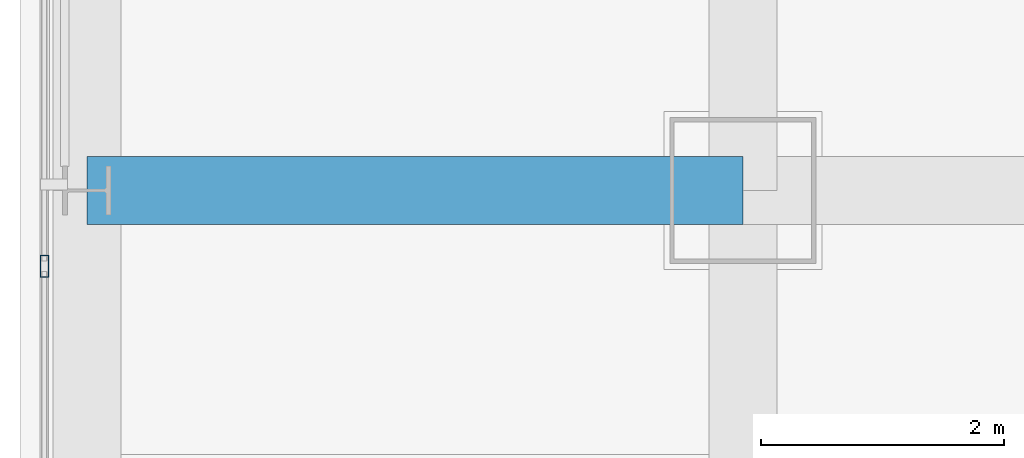
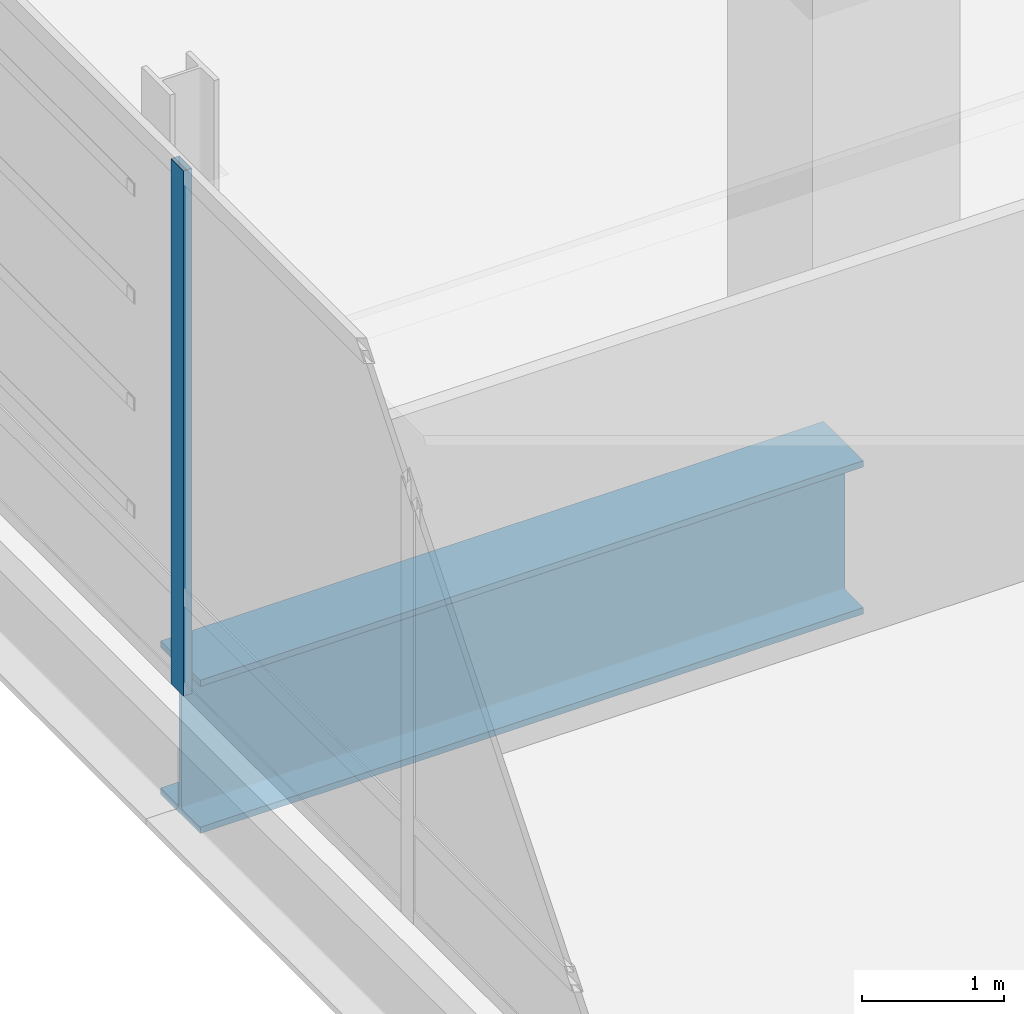
# One storey, part 10 of 45: 1 beam, 1 member, 1 element without a shape of its own.
"""IFC4 building model written with IfcOpenShell, lengths in metres."""

from ifc_helpers import new_model, si_unit, direction, frame, origin, origin_2d, place, context, subcontext, project, spatial, hollow_rectangle, i_section, extrude, material, material_profile, profile_set, type_object, element, aggregate, save


model = new_model("IFC4")

# Units and contexts
model_context = context("Model", 3, precision=1e-05, world=origin(), true_north=direction((0.0, 1.0)))
body_context = subcontext(model_context, "Body", "Model", "MODEL_VIEW")
ifc_project = project(units=[si_unit("LENGTHUNIT", "METRE"), si_unit("AREAUNIT", "SQUARE_METRE"), si_unit("VOLUMEUNIT", "CUBIC_METRE"), si_unit("PLANEANGLEUNIT", "RADIAN"), si_unit("MASSUNIT", "GRAM", prefix="KILO")], contexts=[model_context])

# Site, building, storey
site_placement = place(None, origin())
site = spatial("IfcSite", under=ifc_project, at=site_placement, CompositionType="ELEMENT")
building_placement = place(site_placement, origin())
building = spatial("IfcBuilding", under=site, at=building_placement, Name="Punatoya Terracotta Tower", CompositionType="ELEMENT")
storey_placement = place(building_placement, frame((0.0, 0.0, 339.0)))
storey = spatial("IfcBuildingStorey", under=building, at=storey_placement, Name="L80", CompositionType="ELEMENT", Elevation=339.0)

# Beam
ifc_material_1 = material(Name="Steel S460", Category="steel")
ifc_material_profile_1 = material_profile(ifc_material_1, i_section(OverallWidth=0.56005859375, OverallDepth=1.320068359375, WebThickness=0.035888671875, FlangeThickness=0.054931640625, FilletRadius=0.01806640625, at=origin_2d()))
ifc_profile_set_1 = profile_set([ifc_material_profile_1], Name="Steel S460")
beam_type = type_object("IfcBeamType", Name="BM-TG-BLK", PredefinedType="BEAM", material=ifc_profile_set_1)
beam_placement = place(storey_placement, frame((-24.5, -3.39990234375, -0.919921875), z_axis=(1.0, 0.0, 0.0), x_axis=(0.0, 1.0, 0.0)))
element("IfcBeam", 1, at=beam_placement, inside=storey, type_object=beam_type, Name="BM-L80-CANT-W2", PredefinedType="BEAM", context=body_context, shape_type="SweptSolid", body=[
    extrude(i_section(OverallWidth=0.56005859375, OverallDepth=1.320068359375, WebThickness=0.035888671875, FlangeThickness=0.054931640625, FilletRadius=0.01806640625, at=origin_2d()), origin(), (0.0, 0.0, 1.0), 5.39990234375),
])

# Curtain wall, member
ifc_material_2 = material(Name="Aluminium 6063-T6 + Double Low-E Glass", Category="aluminium")
curtain_wall_type = type_object("IfcCurtainWallType", Name="CW-OBS", PredefinedType="NOTDEFINED", material=ifc_material_2)
curtain_wall_placement = place(storey_placement, origin())
curtain_wall = element("IfcCurtainWall", 2, at=curtain_wall_placement, inside=storey, type_object=curtain_wall_type, Name="L80 Curtain Wall CW-L80-W13-1", PredefinedType="NOTDEFINED")
ifc_material_3 = material(Name="Aluminium 6063-T6", Category="aluminium")
ifc_material_profile_2 = material_profile(ifc_material_3, hollow_rectangle(XDim=0.070068359375, YDim=0.179931640625, WallThickness=0.00390625, at=origin_2d()))
ifc_profile_set_2 = profile_set([ifc_material_profile_2], Name="Aluminium 6063-T6")
member_type = type_object("IfcMemberType", Name="CW-MUL-M3", PredefinedType="MULLION", material=ifc_profile_set_2)
member_placement = place(storey_placement, frame((-24.85009765625, -4.021484375, 0.0), z_axis=(0.0, 0.0, 1.0), x_axis=(1.0, 0.0, 0.0)))
member = element("IfcMember", 3, at=member_placement, type_object=member_type, Name="CW-L80-W13-1 Mullion 06", PredefinedType="MULLION", context=body_context, shape_type="SweptSolid", body=[
    extrude(hollow_rectangle(XDim=0.070068359375, YDim=0.179931640625, WallThickness=0.00390625, at=origin_2d()), origin(), (0.0, 0.0, 1.0), 4.52001953125),
])
aggregate(curtain_wall, [member])

save(model, "model.ifc")
